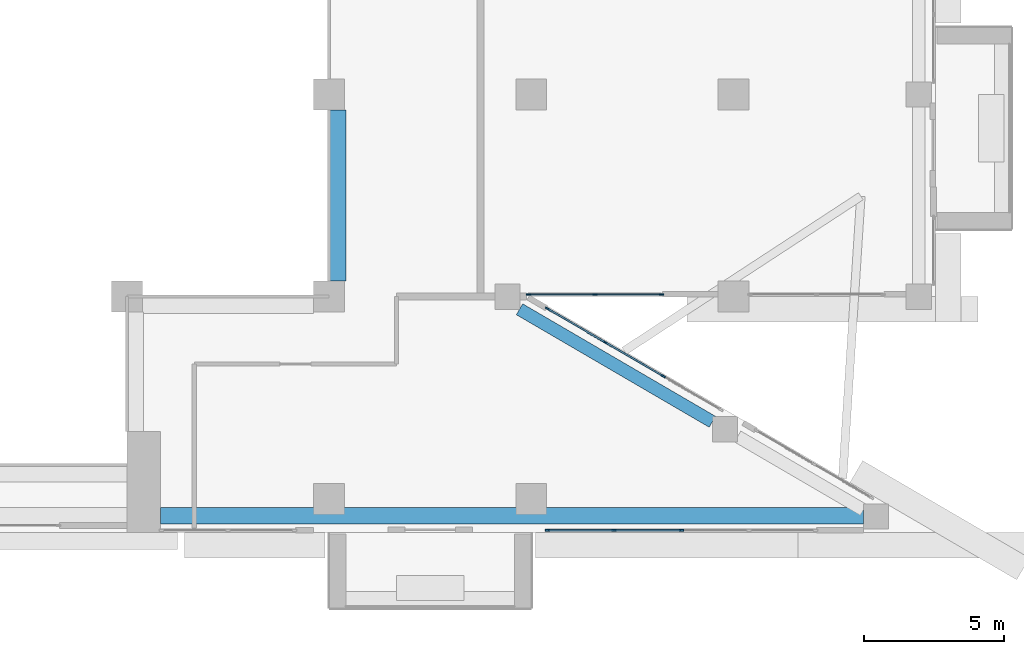
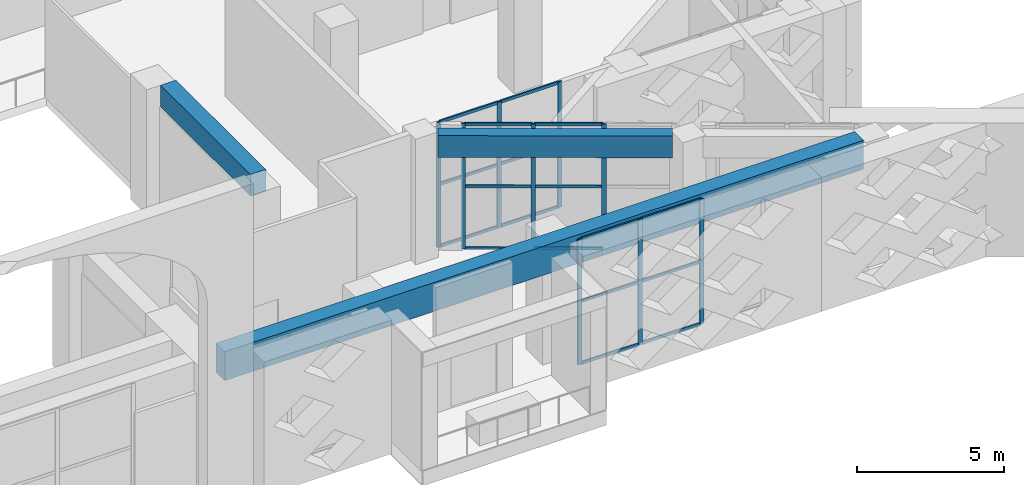
# One storey, part 6 of 25: 27 members, 3 beams, 3 elements without a shape of their own.
"""IFC4 building model written with IfcOpenShell, lengths in metres."""

from ifc_helpers import new_model, si_unit, direction, frame, origin, origin_2d, place, context, subcontext, project, spatial, rectangle, extrude, source, transform, mapped, material, layer, layer_set, material_profile, profile_set, type_object, element, aggregate, save


model = new_model("IFC4")

# Units and contexts
model_context = context("Model", 3, precision=1e-05, world=origin(), true_north=direction((0.0, 1.0)))
body_context = subcontext(model_context, "Body", "Model", "MODEL_VIEW")
ifc_project = project(units=[si_unit("LENGTHUNIT", "METRE"), si_unit("AREAUNIT", "SQUARE_METRE"), si_unit("VOLUMEUNIT", "CUBIC_METRE"), si_unit("PLANEANGLEUNIT", "RADIAN"), si_unit("MASSUNIT", "GRAM", prefix="KILO")], contexts=[model_context])

# Site, building, storey
site_placement = place(None, origin())
site = spatial("IfcSite", under=ifc_project, at=site_placement, CompositionType="ELEMENT")
building_placement = place(site_placement, origin())
building = spatial("IfcBuilding", under=site, at=building_placement, Name="Saffron Iwan Residences", CompositionType="ELEMENT")
storey_placement = place(building_placement, frame((0.0, 0.0, 137.5)))
storey = spatial("IfcBuildingStorey", under=building, at=storey_placement, Name="L36", CompositionType="ELEMENT", Elevation=137.5)

# Beams
ifc_material_1 = material(Name="Concrete C50/60", Category="concrete")
ifc_material_profile_1 = material_profile(ifc_material_1, rectangle(XDim=0.449951171875, YDim=0.89990234375, at=origin_2d()), Name="RC 450x900")
ifc_profile_set_1 = profile_set([ifc_material_profile_1], Name="Concrete C50/60")
beam_type_1 = type_object("IfcBeamType", Name="SPANDREL BEAM RC 450x900 C50/60 TOP 5200", PredefinedType="SPANDREL", material=ifc_profile_set_1)
shared_shape_1 = source(origin(), body_context, "Body", "SweptSolid", [
    extrude(rectangle(XDim=0.449951171875, YDim=0.89990234375, at=origin_2d()), origin(), (0.0, 0.0, 1.0), 7.9501953125),
])
beam_1_placement = place(storey_placement, frame((71.58056640625, 47.550048828125, 4.75), z_axis=(0.863778900898, -0.503871025524, 0.0), x_axis=(0.503871025524, 0.863778900898, 0.0)))
element("IfcBeam", 1, at=beam_1_placement, inside=storey, type_object=beam_type_1, Name="Spandrel beam", PredefinedType="SPANDREL", context=body_context, shape_type="MappedRepresentation", body=[
    mapped(shared_shape_1, transform((0.0, 0.0, 0.0))),
])
ifc_material_profile_2 = material_profile(ifc_material_1, rectangle(XDim=0.60009765625, YDim=1.199951171875, at=origin_2d()), Name="RC 600x1200")
ifc_profile_set_2 = profile_set([ifc_material_profile_2], Name="Concrete C50/60")
beam_type_2 = type_object("IfcBeamType", Name="LINTEL BEAM RC 600x1200 C50/60 TOP 5200", PredefinedType="LINTEL", material=ifc_profile_set_2)
shared_shape_2 = source(origin(), body_context, "Body", "SweptSolid", [
    extrude(rectangle(XDim=0.60009765625, YDim=1.199951171875, at=origin_2d()), origin(), (0.0, 0.0, 1.0), 25.026123046875),
])
beam_2_placement = place(storey_placement, frame((83.826171875, 40.199951171875, 4.60009765625), z_axis=(-1.0, 0.0, 0.0), x_axis=(0.0, -1.0, 0.0)))
element("IfcBeam", 2, at=beam_2_placement, inside=storey, type_object=beam_type_2, Name="Lintel beam over the iwan", PredefinedType="LINTEL", context=body_context, shape_type="MappedRepresentation", body=[
    mapped(shared_shape_2, transform((0.0, 0.0, 0.0))),
])
ifc_material_profile_3 = material_profile(ifc_material_1, rectangle(XDim=0.60009765625, YDim=0.89990234375, at=origin_2d()), Name="RC 600x900")
ifc_profile_set_3 = profile_set([ifc_material_profile_3], Name="Concrete C50/60")
beam_type_3 = type_object("IfcBeamType", Name="BEAM RC 600x900 C50/60 TOP 5200", PredefinedType="BEAM", material=ifc_profile_set_3)
shared_shape_3 = source(origin(), body_context, "Body", "SweptSolid", [
    extrude(rectangle(XDim=0.60009765625, YDim=0.89990234375, at=origin_2d()), origin(), (0.0, 0.0, 1.0), 6.099853515625),
])
beam_3_placement = place(storey_placement, frame((65.10009765625, 54.64990234375, 4.75), z_axis=(0.0, -1.0, 0.0), x_axis=(1.0, 0.0, 0.0)))
element("IfcBeam", 3, at=beam_3_placement, inside=storey, type_object=beam_type_3, Name="Atrium edge beam", PredefinedType="BEAM", context=body_context, shape_type="MappedRepresentation", body=[
    mapped(shared_shape_3, transform((0.0, 0.0, 0.0))),
])

# Curtain wall, members
ifc_material_2 = material(Name="Clear glass, laminated double glazed", Category="glass")
ifc_layer = layer(ifc_material_2, 0.14990234375)
ifc_layer_set = layer_set([ifc_layer], Name="Clear glass, laminated double glazed")
curtain_wall_type = type_object("IfcCurtainWallType", Name="CW-C SKY LOBBY GLAZING", PredefinedType="NOTDEFINED", material=ifc_layer_set)
curtain_wall_1_placement = place(storey_placement, origin())
curtain_wall_1 = element("IfcCurtainWall", 4, at=curtain_wall_1_placement, inside=storey, type_object=curtain_wall_type, Name="Glazing L36 F0.2", PredefinedType="NOTDEFINED")
ifc_material_3 = material(Name="Aluminium 6063-T6", Category="aluminium")
ifc_material_profile_4 = material_profile(ifc_material_3, rectangle(XDim=0.06005859375, YDim=0.159912109375, at=origin_2d()), Name="CW-C MULLION 60 x 160")
ifc_profile_set_4 = profile_set([ifc_material_profile_4], Name="Aluminium 6063-T6")
member_type_1 = type_object("IfcMemberType", Name="CW-C MULLION 60 x 160", PredefinedType="MULLION", material=ifc_profile_set_4)
shared_shape_4 = source(origin(), body_context, "Body", "SweptSolid", [
    extrude(rectangle(XDim=0.06005859375, YDim=0.159912109375, at=origin_2d()), origin(), (0.0, 0.0, 1.0), 5.199951171875),
])
member_1_placement = place(storey_placement, frame((76.697998046875, 45.1669921875, 0.0), z_axis=(0.0, 0.0, 1.0), x_axis=(-0.503871025471, -0.863778900929, 0.0)))
member_1 = element("IfcMember", 5, at=member_1_placement, type_object=member_type_1, Name="CW-C mullion 2", PredefinedType="MULLION", context=body_context, shape_type="MappedRepresentation", body=[
    mapped(shared_shape_4, transform((0.0, 0.0, 0.0))),
])
member_2_placement = place(storey_placement, frame((74.625, 46.376220703125, 0.0), z_axis=(0.0, 0.0, 1.0), x_axis=(-0.503871025471, -0.863778900929, 0.0)))
member_2 = element("IfcMember", 6, at=member_2_placement, type_object=member_type_1, Name="CW-C mullion 3", PredefinedType="MULLION", context=body_context, shape_type="MappedRepresentation", body=[
    mapped(shared_shape_4, transform((0.0, 0.0, 0.0))),
])
member_3_placement = place(storey_placement, frame((72.57763671875, 47.5703125, 0.0), z_axis=(0.0, 0.0, 1.0), x_axis=(-0.503871025471, -0.863778900929, 0.0)))
member_3 = element("IfcMember", 7, at=member_3_placement, type_object=member_type_1, Name="CW-C mullion 4", PredefinedType="MULLION", context=body_context, shape_type="MappedRepresentation", body=[
    mapped(shared_shape_4, transform((0.0, 0.0, 0.0))),
])

curtain_wall_2_placement = place(storey_placement, origin())
curtain_wall_2 = element("IfcCurtainWall", 8, at=curtain_wall_2_placement, inside=storey, type_object=curtain_wall_type, Name="Glazing L36 F1.0", PredefinedType="NOTDEFINED")
member_4_placement = place(storey_placement, frame((71.904052734375, 48.080078125, 0.0), z_axis=(0.0, 0.0, 1.0), x_axis=(0.0, 1.0, 0.0)))
member_4 = element("IfcMember", 9, at=member_4_placement, type_object=member_type_1, Name="CW-C mullion 1", PredefinedType="MULLION", context=body_context, shape_type="MappedRepresentation", body=[
    mapped(shared_shape_4, transform((0.0, 0.0, 0.0))),
])
member_5_placement = place(storey_placement, frame((74.274169921875, 48.080078125, 0.0), z_axis=(0.0, 0.0, 1.0), x_axis=(0.0, 1.0, 0.0)))
member_5 = element("IfcMember", 10, at=member_5_placement, type_object=member_type_1, Name="CW-C mullion 2", PredefinedType="MULLION", context=body_context, shape_type="MappedRepresentation", body=[
    mapped(shared_shape_4, transform((0.0, 0.0, 0.0))),
])
member_6_placement = place(storey_placement, frame((76.64404296875, 48.080078125, 0.0), z_axis=(0.0, 0.0, 1.0), x_axis=(0.0, 1.0, 0.0)))
member_6 = element("IfcMember", 11, at=member_6_placement, type_object=member_type_1, Name="CW-C mullion 3", PredefinedType="MULLION", context=body_context, shape_type="MappedRepresentation", body=[
    mapped(shared_shape_4, transform((0.0, 0.0, 0.0))),
])

curtain_wall_3_placement = place(storey_placement, origin())
curtain_wall_3 = element("IfcCurtainWall", 12, at=curtain_wall_3_placement, inside=storey, type_object=curtain_wall_type, Name="Glazing L36 F11.8", PredefinedType="NOTDEFINED")
member_7_placement = place(storey_placement, frame((72.580078125, 39.679931640625, 0.0), z_axis=(0.0, 0.0, 1.0), x_axis=(0.0, 1.0, 0.0)))
member_7 = element("IfcMember", 13, at=member_7_placement, type_object=member_type_1, Name="CW-C mullion 1", PredefinedType="MULLION", context=body_context, shape_type="MappedRepresentation", body=[
    mapped(shared_shape_4, transform((0.0, 0.0, 0.0))),
])
member_8_placement = place(storey_placement, frame((74.949951171875, 39.679931640625, 0.0), z_axis=(0.0, 0.0, 1.0), x_axis=(0.0, 1.0, 0.0)))
member_8 = element("IfcMember", 14, at=member_8_placement, type_object=member_type_1, Name="CW-C mullion 2", PredefinedType="MULLION", context=body_context, shape_type="MappedRepresentation", body=[
    mapped(shared_shape_4, transform((0.0, 0.0, 0.0))),
])
member_9_placement = place(storey_placement, frame((77.35009765625, 39.679931640625, 0.0), z_axis=(0.0, 0.0, 1.0), x_axis=(0.0, 1.0, 0.0)))
member_9 = element("IfcMember", 15, at=member_9_placement, type_object=member_type_1, Name="CW-C mullion 3", PredefinedType="MULLION", context=body_context, shape_type="MappedRepresentation", body=[
    mapped(shared_shape_4, transform((0.0, 0.0, 0.0))),
])

# Member
ifc_material_profile_5 = material_profile(ifc_material_3, rectangle(XDim=0.06005859375, YDim=0.1201171875, at=origin_2d()), Name="CW-C TRANSOM 60 x 120")
ifc_profile_set_5 = profile_set([ifc_material_profile_5], Name="Aluminium 6063-T6")
member_type_2 = type_object("IfcMemberType", Name="CW-C TRANSOM 60 x 120", PredefinedType="USERDEFINED", material=ifc_profile_set_5)
shared_shape_5 = source(origin(), body_context, "Body", "SweptSolid", [
    extrude(rectangle(XDim=0.06005859375, YDim=0.1201171875, at=origin_2d()), origin(), (0.0, 0.0, 1.0), 2.31005859375),
])
member_10_placement = place(storey_placement, frame((71.93408203125, 48.080078125, 0.030029296875), z_axis=(1.0, 0.0, 0.0), x_axis=(0.0, 1.0, 0.0)))
member_10 = element("IfcMember", 16, at=member_10_placement, type_object=member_type_2, Name="CW-C transom 1.1", ObjectType="TRANSOM", PredefinedType="USERDEFINED", context=body_context, shape_type="MappedRepresentation", body=[
    mapped(shared_shape_5, transform((0.0, 0.0, 0.0))),
])

member_11_placement = place(storey_placement, frame((71.93408203125, 48.080078125, 2.60009765625), z_axis=(1.0, 0.0, 0.0), x_axis=(0.0, 1.0, 0.0)))
member_11 = element("IfcMember", 17, at=member_11_placement, type_object=member_type_2, Name="CW-C transom 1.2", ObjectType="TRANSOM", PredefinedType="USERDEFINED", context=body_context, shape_type="MappedRepresentation", body=[
    mapped(shared_shape_5, transform((0.0, 0.0, 0.0))),
])

member_12_placement = place(storey_placement, frame((71.93408203125, 48.080078125, 5.169921875), z_axis=(1.0, 0.0, 0.0), x_axis=(0.0, 1.0, 0.0)))
member_12 = element("IfcMember", 18, at=member_12_placement, type_object=member_type_2, Name="CW-C transom 1.3", ObjectType="TRANSOM", PredefinedType="USERDEFINED", context=body_context, shape_type="MappedRepresentation", body=[
    mapped(shared_shape_5, transform((0.0, 0.0, 0.0))),
])

shared_shape_6 = source(origin(), body_context, "Body", "SweptSolid", [
    extrude(rectangle(XDim=0.06005859375, YDim=0.1201171875, at=origin_2d()), origin(), (0.0, 0.0, 1.0), 2.33984375),
])
member_13_placement = place(storey_placement, frame((76.672119140625, 45.18212890625, 0.030029296875), z_axis=(-0.863797821327, 0.503838589104, 0.0), x_axis=(-0.503838589104, -0.863797821327, 0.0)))
member_13 = element("IfcMember", 19, at=member_13_placement, type_object=member_type_2, Name="CW-C transom 2.1", ObjectType="TRANSOM", PredefinedType="USERDEFINED", context=body_context, shape_type="MappedRepresentation", body=[
    mapped(shared_shape_6, transform((0.0, 0.0, 0.0))),
])

member_14_placement = place(storey_placement, frame((76.672119140625, 45.18212890625, 2.60009765625), z_axis=(-0.863797821327, 0.503838589104, 0.0), x_axis=(-0.503838589104, -0.863797821327, 0.0)))
member_14 = element("IfcMember", 20, at=member_14_placement, type_object=member_type_2, Name="CW-C transom 2.2", ObjectType="TRANSOM", PredefinedType="USERDEFINED", context=body_context, shape_type="MappedRepresentation", body=[
    mapped(shared_shape_6, transform((0.0, 0.0, 0.0))),
])

member_15_placement = place(storey_placement, frame((76.672119140625, 45.18212890625, 5.169921875), z_axis=(-0.863797821327, 0.503838589104, 0.0), x_axis=(-0.503838589104, -0.863797821327, 0.0)))
member_15 = element("IfcMember", 21, at=member_15_placement, type_object=member_type_2, Name="CW-C transom 2.3", ObjectType="TRANSOM", PredefinedType="USERDEFINED", context=body_context, shape_type="MappedRepresentation", body=[
    mapped(shared_shape_6, transform((0.0, 0.0, 0.0))),
])

shared_shape_7 = source(origin(), body_context, "Body", "SweptSolid", [
    extrude(rectangle(XDim=0.06005859375, YDim=0.1201171875, at=origin_2d()), origin(), (0.0, 0.0, 1.0), 2.309814453125),
])
member_16_placement = place(storey_placement, frame((74.598876953125, 46.391357421875, 0.030029296875), z_axis=(-0.863778900898, 0.503871025524, 0.0), x_axis=(-0.503871025524, -0.863778900898, 0.0)))
member_16 = element("IfcMember", 22, at=member_16_placement, type_object=member_type_2, Name="CW-C transom 3.1", ObjectType="TRANSOM", PredefinedType="USERDEFINED", context=body_context, shape_type="MappedRepresentation", body=[
    mapped(shared_shape_7, transform((0.0, 0.0, 0.0))),
])

member_17_placement = place(storey_placement, frame((74.598876953125, 46.391357421875, 2.60009765625), z_axis=(-0.863778900898, 0.503871025524, 0.0), x_axis=(-0.503871025524, -0.863778900898, 0.0)))
member_17 = element("IfcMember", 23, at=member_17_placement, type_object=member_type_2, Name="CW-C transom 3.2", ObjectType="TRANSOM", PredefinedType="USERDEFINED", context=body_context, shape_type="MappedRepresentation", body=[
    mapped(shared_shape_7, transform((0.0, 0.0, 0.0))),
])

member_18_placement = place(storey_placement, frame((74.598876953125, 46.391357421875, 5.169921875), z_axis=(-0.863778900898, 0.503871025524, 0.0), x_axis=(-0.503871025524, -0.863778900898, 0.0)))
member_18 = element("IfcMember", 24, at=member_18_placement, type_object=member_type_2, Name="CW-C transom 3.3", ObjectType="TRANSOM", PredefinedType="USERDEFINED", context=body_context, shape_type="MappedRepresentation", body=[
    mapped(shared_shape_7, transform((0.0, 0.0, 0.0))),
])

aggregate(curtain_wall_1, [member_1, member_2, member_3, member_13, member_14, member_15, member_16, member_17, member_18])

member_19_placement = place(storey_placement, frame((74.30419921875, 48.080078125, 0.030029296875), z_axis=(1.0, 0.0, 0.0), x_axis=(0.0, 1.0, 0.0)))
member_19 = element("IfcMember", 25, at=member_19_placement, type_object=member_type_2, Name="CW-C transom 2.1", ObjectType="TRANSOM", PredefinedType="USERDEFINED", context=body_context, shape_type="MappedRepresentation", body=[
    mapped(shared_shape_7, transform((0.0, 0.0, 0.0))),
])

member_20_placement = place(storey_placement, frame((74.30419921875, 48.080078125, 2.60009765625), z_axis=(1.0, 0.0, 0.0), x_axis=(0.0, 1.0, 0.0)))
member_20 = element("IfcMember", 26, at=member_20_placement, type_object=member_type_2, Name="CW-C transom 2.2", ObjectType="TRANSOM", PredefinedType="USERDEFINED", context=body_context, shape_type="MappedRepresentation", body=[
    mapped(shared_shape_7, transform((0.0, 0.0, 0.0))),
])

member_21_placement = place(storey_placement, frame((74.30419921875, 48.080078125, 5.169921875), z_axis=(1.0, 0.0, 0.0), x_axis=(0.0, 1.0, 0.0)))
member_21 = element("IfcMember", 27, at=member_21_placement, type_object=member_type_2, Name="CW-C transom 2.3", ObjectType="TRANSOM", PredefinedType="USERDEFINED", context=body_context, shape_type="MappedRepresentation", body=[
    mapped(shared_shape_7, transform((0.0, 0.0, 0.0))),
])

aggregate(curtain_wall_2, [member_4, member_5, member_6, member_10, member_11, member_12, member_19, member_20, member_21])

member_22_placement = place(storey_placement, frame((72.610107421875, 39.679931640625, 0.030029296875), z_axis=(1.0, 0.0, 0.0), x_axis=(0.0, 1.0, 0.0)))
member_22 = element("IfcMember", 28, at=member_22_placement, type_object=member_type_2, Name="CW-C transom 1.1", ObjectType="TRANSOM", PredefinedType="USERDEFINED", context=body_context, shape_type="MappedRepresentation", body=[
    mapped(shared_shape_7, transform((0.0, 0.0, 0.0))),
])

member_23_placement = place(storey_placement, frame((72.610107421875, 39.679931640625, 2.60009765625), z_axis=(1.0, 0.0, 0.0), x_axis=(0.0, 1.0, 0.0)))
member_23 = element("IfcMember", 29, at=member_23_placement, type_object=member_type_2, Name="CW-C transom 1.2", ObjectType="TRANSOM", PredefinedType="USERDEFINED", context=body_context, shape_type="MappedRepresentation", body=[
    mapped(shared_shape_7, transform((0.0, 0.0, 0.0))),
])

member_24_placement = place(storey_placement, frame((72.610107421875, 39.679931640625, 5.169921875), z_axis=(1.0, 0.0, 0.0), x_axis=(0.0, 1.0, 0.0)))
member_24 = element("IfcMember", 30, at=member_24_placement, type_object=member_type_2, Name="CW-C transom 1.3", ObjectType="TRANSOM", PredefinedType="USERDEFINED", context=body_context, shape_type="MappedRepresentation", body=[
    mapped(shared_shape_7, transform((0.0, 0.0, 0.0))),
])

shared_shape_8 = source(origin(), body_context, "Body", "SweptSolid", [
    extrude(rectangle(XDim=0.06005859375, YDim=0.1201171875, at=origin_2d()), origin(), (0.0, 0.0, 1.0), 2.340087890625),
])
member_25_placement = place(storey_placement, frame((74.97998046875, 39.679931640625, 0.030029296875), z_axis=(1.0, 0.0, 0.0), x_axis=(0.0, 1.0, 0.0)))
member_25 = element("IfcMember", 31, at=member_25_placement, type_object=member_type_2, Name="CW-C transom 2.1", ObjectType="TRANSOM", PredefinedType="USERDEFINED", context=body_context, shape_type="MappedRepresentation", body=[
    mapped(shared_shape_8, transform((0.0, 0.0, 0.0))),
])

member_26_placement = place(storey_placement, frame((74.97998046875, 39.679931640625, 2.60009765625), z_axis=(1.0, 0.0, 0.0), x_axis=(0.0, 1.0, 0.0)))
member_26 = element("IfcMember", 32, at=member_26_placement, type_object=member_type_2, Name="CW-C transom 2.2", ObjectType="TRANSOM", PredefinedType="USERDEFINED", context=body_context, shape_type="MappedRepresentation", body=[
    mapped(shared_shape_8, transform((0.0, 0.0, 0.0))),
])

member_27_placement = place(storey_placement, frame((74.97998046875, 39.679931640625, 5.169921875), z_axis=(1.0, 0.0, 0.0), x_axis=(0.0, 1.0, 0.0)))
member_27 = element("IfcMember", 33, at=member_27_placement, type_object=member_type_2, Name="CW-C transom 2.3", ObjectType="TRANSOM", PredefinedType="USERDEFINED", context=body_context, shape_type="MappedRepresentation", body=[
    mapped(shared_shape_8, transform((0.0, 0.0, 0.0))),
])

aggregate(curtain_wall_3, [member_7, member_8, member_9, member_22, member_23, member_24, member_25, member_26, member_27])

save(model, "model.ifc")
